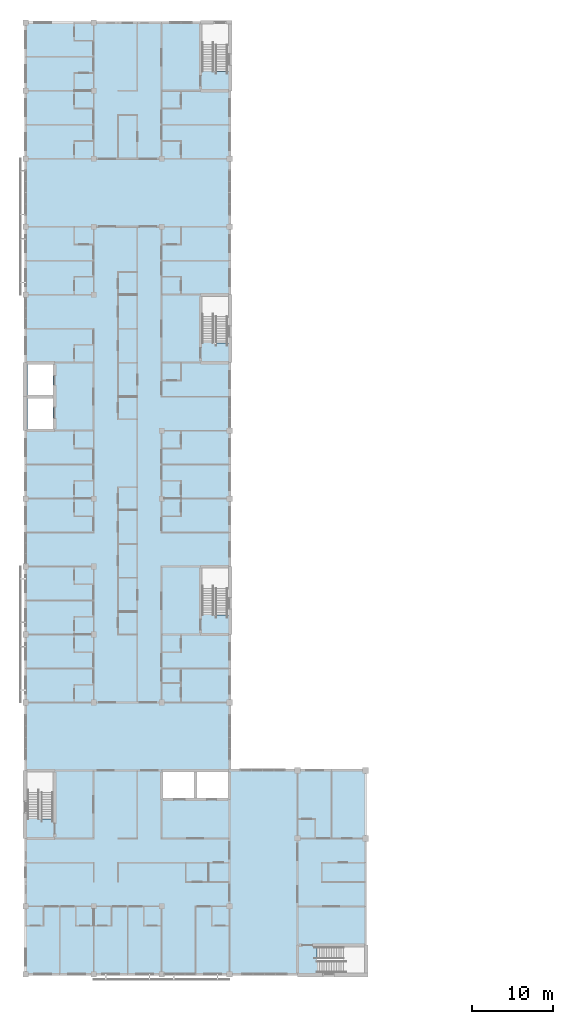
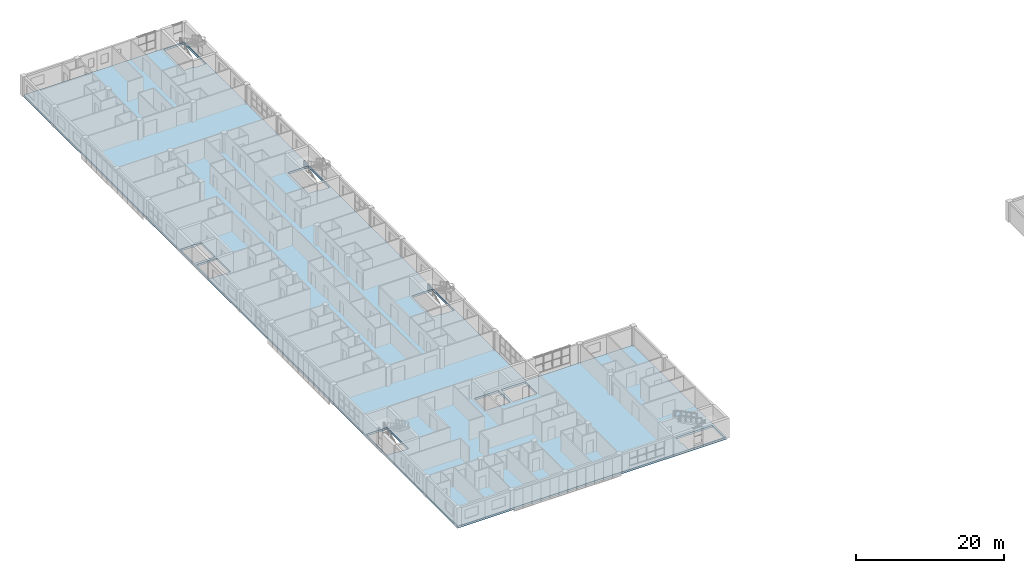
# One storey, part 20 of 46: 1 slab.
"""IFC4 building model written with IfcOpenShell, lengths in metres."""

import ifcopenshell
import ifcopenshell.guid

model = None  # the IFC model being written
_history = None  # IfcOwnerHistory: only IFC2X3 demands one
_inside = {}  # id of a spatial element -> (the spatial element, [elements in it])
_under = {}  # id of a project, library or spatial element -> (it, [spatial elements below it])
_declared = {}  # id of a project -> (the project, [libraries it declares])
_typed = {}  # id of a type object -> (the type object, [elements of that type])
_made_of = {}  # id of a material, layer set ... -> (it, [elements and type objects made of it])


def new_model(schema):
    """Start an empty IFC model of exactly this schema.

    Asked for "IFC4X3", IfcOpenShell would pick the latest addendum, in which some entities
    have other attributes; the version numbers below select the first issue.
    IFC2X3 requires an IfcOwnerHistory on every rooted entity: one is made here for all.
    """
    global model, _history
    if schema == "IFC4X3":
        model = ifcopenshell.file(schema_version=(4, 3, 0, 0))
    else:
        model = ifcopenshell.file(schema=schema)
    _inside.clear()
    _under.clear()
    _declared.clear()
    _typed.clear()
    _made_of.clear()
    _history = None
    if model.schema == "IFC2X3":
        org = make("IfcOrganization", Name="unknown")
        user = make(
            "IfcPersonAndOrganization",
            ThePerson=make("IfcPerson", FamilyName="unknown"),
            TheOrganization=org,
        )
        app = make(
            "IfcApplication",
            ApplicationDeveloper=org,
            Version="unknown",
            ApplicationFullName="unknown",
            ApplicationIdentifier="unknown",
        )
        _history = make(
            "IfcOwnerHistory",
            OwningUser=user,
            OwningApplication=app,
            ChangeAction="ADDED",
            CreationDate=0,
        )
    return model


def make(cls, **values):
    """One entity of the class cls with the attributes given. An attribute that is None is left unset."""
    return model.create_entity(
        cls, **{name: value for name, value in values.items() if value is not None}
    )


def rooted(cls, **values):
    """An entity with a GlobalId (a new one), such as an element, a storey or a relation."""
    return make(cls, GlobalId=ifcopenshell.guid.new(), OwnerHistory=_history, **values)


def si_unit(unit_type, name, prefix=None):
    """IfcSIUnit, for example si_unit("LENGTHUNIT", "METRE", prefix="MILLI")."""
    return make("IfcSIUnit", UnitType=unit_type, Prefix=prefix, Name=name)


def assignment(units):
    """IfcUnitAssignment: the units of a project."""
    return None if units is None else make("IfcUnitAssignment", Units=units)


def point(xyz):
    """IfcCartesianPoint."""
    return None if xyz is None else make("IfcCartesianPoint", Coordinates=xyz)


def direction(xyz):
    """IfcDirection."""
    return None if xyz is None else make("IfcDirection", DirectionRatios=xyz)


def frame(location, z_axis=None, x_axis=None):
    """IfcAxis2Placement3D, a coordinate frame: its origin and axes. An axis left out is left unset."""
    return make(
        "IfcAxis2Placement3D",
        Location=point(location),
        Axis=direction(z_axis),
        RefDirection=direction(x_axis),
    )


def origin():
    """The frame at (0, 0, 0) with its axes left unset."""
    return frame((0.0, 0.0, 0.0))


def place(relative_to, where):
    """IfcLocalPlacement: puts the frame where relative to a parent placement (None: the world)."""
    return make(
        "IfcLocalPlacement", PlacementRelTo=relative_to, RelativePlacement=where
    )


def context(
    kind, dimensions, precision=None, world=None, true_north=None, identifier=None
):
    """IfcGeometricRepresentationContext, for example the 3D "Model" context."""
    return make(
        "IfcGeometricRepresentationContext",
        ContextIdentifier=identifier,
        ContextType=kind,
        CoordinateSpaceDimension=dimensions,
        Precision=precision,
        WorldCoordinateSystem=world,
        TrueNorth=true_north,
    )


def subcontext(parent, identifier, kind, view, scale=None):
    """IfcGeometricRepresentationSubContext, for example "Body" below "Model"."""
    return make(
        "IfcGeometricRepresentationSubContext",
        ContextIdentifier=identifier,
        ContextType=kind,
        ParentContext=parent,
        TargetScale=scale,
        TargetView=view,
    )


def project(units=None, contexts=None):
    """IfcProject with its units and contexts."""
    return rooted(
        "IfcProject",
        Name="project",
        RepresentationContexts=contexts,
        UnitsInContext=assignment(units),
    )


def spatial(cls, under=None, at=None, **own):
    """A site, building, storey or space (cls), placed at a placement, below another one or the project."""
    s = rooted(cls, ObjectPlacement=at, **own)
    if under is not None:
        _under.setdefault(under.id(), (under, []))[1].append(s)
    return s


def polyline(points):
    """IfcPolyline through the points."""
    return make("IfcPolyline", Points=[point(p) for p in points])


def outline(outer, holes=None, kind="AREA"):
    """IfcArbitraryClosedProfileDef: a profile drawn as a closed curve; with holes, ...WithVoids."""
    if holes is None:
        return make("IfcArbitraryClosedProfileDef", ProfileType=kind, OuterCurve=outer)
    return make(
        "IfcArbitraryProfileDefWithVoids",
        ProfileType=kind,
        OuterCurve=outer,
        InnerCurves=holes,
    )


def extrude(swept, where, along, depth):
    """IfcExtrudedAreaSolid: the profile swept, set in the frame where, extruded along a direction by depth."""
    return make(
        "IfcExtrudedAreaSolid",
        SweptArea=swept,
        Position=where,
        ExtrudedDirection=direction(along),
        Depth=depth,
    )


def shape(context_of_items, identifier, shape_type, items):
    """IfcShapeRepresentation: the items that make up one representation, for example the "Body"."""
    return make(
        "IfcShapeRepresentation",
        ContextOfItems=context_of_items,
        RepresentationIdentifier=identifier,
        RepresentationType=shape_type,
        Items=items,
    )


def material(Name=None, Category=None):
    """IfcMaterial."""
    return make("IfcMaterial", Name=Name, Category=Category)


def layer(
    of_material, thickness, ventilated=None, Name=None, Category=None, Priority=None
):
    """IfcMaterialLayer: one layer of a wall or slab, of a material (None: an air gap)."""
    return make(
        "IfcMaterialLayer",
        Material=of_material,
        LayerThickness=thickness,
        IsVentilated=ventilated,
        Name=Name,
        Category=Category,
        Priority=Priority,
    )


def layer_set(layers, Name=None):
    """IfcMaterialLayerSet."""
    return make("IfcMaterialLayerSet", MaterialLayers=layers, LayerSetName=Name)


def made_of(thing, what):
    """Note that an element or type object is made of a material, layer set ...; save() writes the relation."""
    if what is not None:
        _made_of.setdefault(what.id(), (what, []))[1].append(thing)
    return thing


def type_object(cls, material=None, **own):
    """A type object (cls), such as IfcWallType, which elements share."""
    return made_of(rooted(cls, **own), material)


def element(
    cls,
    number,
    at=None,
    inside=None,
    cuts=None,
    type_object=None,
    material=None,
    context=None,
    identifier="Body",
    shape_type=None,
    held_by="IfcProductDefinitionShape",
    body=None,
    shapes=None,
    **own,
):
    """One element of the class cls, such as IfcWall. Its Tag is "e" and its number.

    at: its placement. inside: the storey or other place that contains it. cuts: it is an
    opening in that element (IfcRelVoidsElement). A single representation is given by context,
    identifier, shape_type and body (its items); several are given by shapes. held_by: the class
    of the entity that holds the representations. save() writes the other relations.
    """
    e = rooted(cls, Tag="e%d" % number, ObjectPlacement=at, **own)
    if body is not None:
        shapes = [shape(context, identifier, shape_type, body)]
    if shapes is not None:
        e.Representation = make(held_by, Representations=shapes)
    if inside is not None:
        _inside.setdefault(inside.id(), (inside, []))[1].append(e)
    if cuts is not None:
        rooted(
            "IfcRelVoidsElement", RelatingBuildingElement=cuts, RelatedOpeningElement=e
        )
    if type_object is not None:
        _typed.setdefault(type_object.id(), (type_object, []))[1].append(e)
    return made_of(e, material)


def aggregate(whole, parts):
    """IfcRelAggregates: a whole, such as a stair, and the parts it consists of."""
    return rooted("IfcRelAggregates", RelatingObject=whole, RelatedObjects=parts)


def save(model, path):
    """Write the relations noted so far, then the file.

    IfcRelAggregates (storeys below a building ...), IfcRelContainedInSpatialStructure (elements
    in a storey), IfcRelDefinesByType, IfcRelAssociatesMaterial and IfcRelDeclares: one each for
    every whole, place, type object, material and project.
    """
    for whole, parts in _under.values():
        aggregate(whole, parts)
    for where, things in _inside.values():
        rooted(
            "IfcRelContainedInSpatialStructure",
            RelatedElements=things,
            RelatingStructure=where,
        )
    for kind, things in _typed.values():
        rooted("IfcRelDefinesByType", RelatedObjects=things, RelatingType=kind)
    for what, things in _made_of.values():
        rooted("IfcRelAssociatesMaterial", RelatedObjects=things, RelatingMaterial=what)
    for by, libraries in _declared.values():
        rooted("IfcRelDeclares", RelatingContext=by, RelatedDefinitions=libraries)
    model.write(path)


model = new_model("IFC4")

# Units and contexts
model_context = context("Model", 3, precision=1e-05, world=origin(), true_north=direction((0.0, 1.0)))
body_context = subcontext(model_context, "Body", "Model", "MODEL_VIEW")
ifc_project = project(units=[si_unit("LENGTHUNIT", "METRE"), si_unit("AREAUNIT", "SQUARE_METRE"), si_unit("VOLUMEUNIT", "CUBIC_METRE"), si_unit("PLANEANGLEUNIT", "RADIAN"), si_unit("MASSUNIT", "GRAM", prefix="KILO")], contexts=[model_context])

# Site, building, storey
site_placement = place(None, origin())
site = spatial("IfcSite", under=ifc_project, at=site_placement, CompositionType="ELEMENT")
building_placement = place(site_placement, origin())
building = spatial("IfcBuilding", under=site, at=building_placement, Name="Yavir Park General Hospital", CompositionType="ELEMENT")
storey_placement = place(building_placement, frame((0.0, 0.0, 18.89990234375)))
storey = spatial("IfcBuildingStorey", under=building, at=storey_placement, Name="L04", CompositionType="ELEMENT", Elevation=18.89990234375)

# Slab
ifc_material = material(Name="Concrete C35/45", Category="concrete")
ifc_layer = layer(ifc_material, 0.340087890625)
ifc_layer_set = layer_set([ifc_layer], Name="Concrete C35/45")
slab_type = type_object("IfcSlabType", Name="RC SLAB FLOOR 340", PredefinedType="FLOOR", material=ifc_layer_set)
slab_placement = place(storey_placement, frame((0.0, 0.0, -0.340087890625)))
element("IfcSlab", 1, at=slab_placement, inside=storey, type_object=slab_type, Name="S:L04:0", PredefinedType="FLOOR", context=body_context, shape_type="SweptSolid", body=[
    extrude(outline(polyline([(42.0, 25.199951171875), (25.199951171875, 25.199951171875), (25.199951171875, 117.60009765625), (0.0, 117.60009765625), (0.0, 0.0), (42.0, 0.0), (42.0, 25.199951171875)]), holes=[polyline([(17.0, 21.800048828125), (17.0, 25.0), (20.800048828125, 25.0), (20.800048828125, 21.800048828125), (17.0, 21.800048828125)]), polyline([(21.199951171875, 21.800048828125), (21.199951171875, 25.0), (25.0, 25.0), (25.0, 21.800048828125), (21.199951171875, 21.800048828125)]), polyline([(0.199951171875, 67.39990234375), (0.199951171875, 71.199951171875), (3.39990234375, 71.199951171875), (3.39990234375, 67.39990234375), (0.199951171875, 67.39990234375)]), polyline([(0.199951171875, 71.60009765625), (0.199951171875, 75.39990234375), (3.39990234375, 75.39990234375), (3.39990234375, 71.60009765625), (0.199951171875, 71.60009765625)]), polyline([(3.39990234375, 19.201416015625), (1.64990234375, 19.201416015625), (1.64990234375, 19.3515625), (0.14990234375, 19.3515625), (0.14990234375, 25.0), (3.39990234375, 25.0), (3.39990234375, 19.201416015625)]), polyline([(41.800048828125, 0.14990234375), (36.151611328125, 0.14990234375), (36.151611328125, 1.64990234375), (36.00146484375, 1.64990234375), (36.00146484375, 3.39990234375), (41.800048828125, 3.39990234375), (41.800048828125, 0.14990234375)]), polyline([(21.800048828125, 50.199951171875), (25.050048828125, 50.199951171875), (25.050048828125, 44.401611328125), (23.199951171875, 44.401611328125), (23.199951171875, 44.551513671875), (21.800048828125, 44.551513671875), (21.800048828125, 50.199951171875)]), polyline([(25.050048828125, 78.00146484375), (23.199951171875, 78.00146484375), (23.199951171875, 78.151611328125), (21.800048828125, 78.151611328125), (21.800048828125, 83.800048828125), (25.050048828125, 83.800048828125), (25.050048828125, 78.00146484375)]), polyline([(23.199951171875, 111.75146484375), (21.800048828125, 111.75146484375), (21.800048828125, 117.449951171875), (25.050048828125, 117.449951171875), (25.050048828125, 111.6015625), (23.199951171875, 111.6015625), (23.199951171875, 111.75146484375)])]), origin(), (0.0, 0.0, 1.0), 0.340087890625),
])

save(model, "model.ifc")
